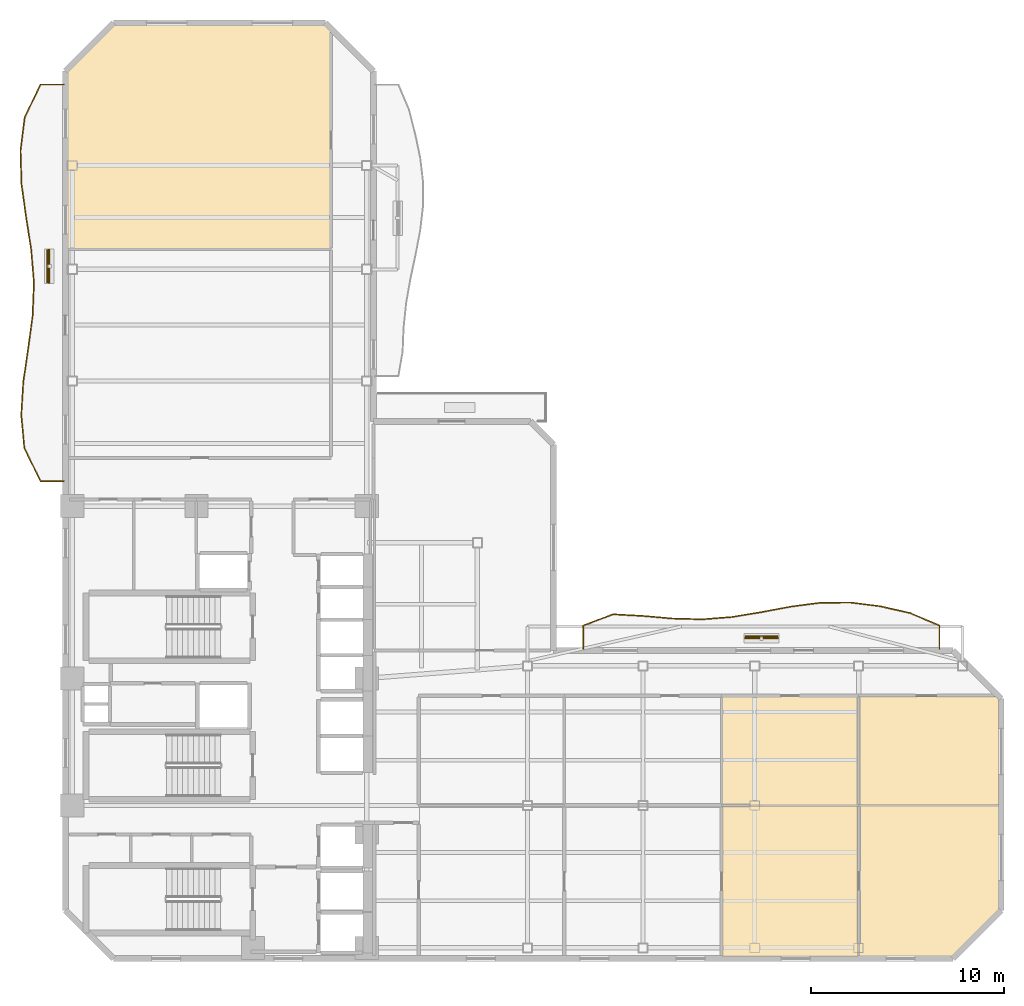
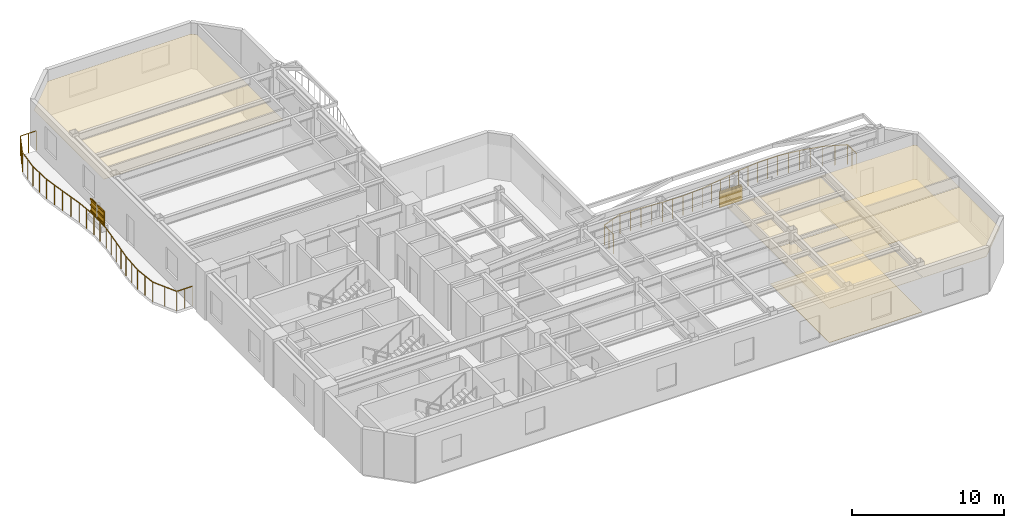
# One storey, part 9 of 10: 8 shading devices, 7 coverings, 2 railings.
"""IFC4 building model written with IfcOpenShell, lengths in metres."""

from ifc_helpers import new_model, si_unit, direction, frame, origin, origin_2d, place, context, subcontext, project, spatial, polyline, rectangle, outline, extrude, material, layer, layer_set, material_profile, profile_set, type_object, element, save


model = new_model("IFC4")

# Units and contexts
model_context = context("Model", 3, precision=1e-05, world=origin(), true_north=direction((0.0, 1.0)))
body_context = subcontext(model_context, "Body", "Model", "MODEL_VIEW")
ifc_project = project(units=[si_unit("LENGTHUNIT", "METRE"), si_unit("AREAUNIT", "SQUARE_METRE"), si_unit("VOLUMEUNIT", "CUBIC_METRE"), si_unit("PLANEANGLEUNIT", "RADIAN"), si_unit("MASSUNIT", "GRAM", prefix="KILO")], contexts=[model_context])

# Site, building, storey
site_placement = place(None, origin())
site = spatial("IfcSite", under=ifc_project, at=site_placement, CompositionType="ELEMENT")
building_placement = place(site_placement, origin())
building = spatial("IfcBuilding", under=site, at=building_placement, Name="Mawjaban Terraces University", CompositionType="ELEMENT")
storey_placement = place(building_placement, frame((0.0, 0.0, 122.89990234375)))
storey = spatial("IfcBuildingStorey", under=building, at=storey_placement, Name="L29", CompositionType="ELEMENT", Elevation=122.89990234375)

# Coverings
ifc_material_1 = material(Name="Acoustic mineral fibre ceiling tile", Category="masonry")
ifc_layer_1 = layer(ifc_material_1, 0.02001953125)
ifc_layer_set_1 = layer_set([ifc_layer_1], Name="Acoustic mineral fibre ceiling tile")
covering_type_1 = type_object("IfcCoveringType", Name="AcousticMineralCeiling_20", PredefinedType="CEILING", material=ifc_layer_set_1)
covering_1_placement = place(storey_placement, frame((0.0, 0.0, 2.75)))
element("IfcCovering", 1, at=covering_1_placement, inside=storey, type_object=covering_type_1, Name="L29 Reading Salon 6 Acoustic Ceiling", PredefinedType="CEILING", context=body_context, shape_type="SweptSolid", body=[
    extrude(outline(polyline([(56.110107421875, 0.114990234375), (63.169921875, 0.114990234375), (63.169921875, 7.919921875), (56.110107421875, 7.919921875), (56.110107421875, 0.114990234375)])), origin(), (0.0, 0.0, 1.0), 0.02001953125),
])
covering_2_placement = place(storey_placement, frame((0.0, 0.0, 2.75)))
element("IfcCovering", 2, at=covering_2_placement, inside=storey, type_object=covering_type_1, Name="L29 Academic Counseling Room 7 Acoustic Ceiling", PredefinedType="CEILING", context=body_context, shape_type="SweptSolid", body=[
    extrude(outline(polyline([(63.169921875, 7.97998046875), (63.169921875, 13.6201171875), (56.110107421875, 13.6201171875), (56.110107421875, 7.97998046875), (63.169921875, 7.97998046875)])), origin(), (0.0, 0.0, 1.0), 0.02001953125),
])
covering_3_placement = place(storey_placement, frame((0.0, 0.0, 2.75)))
element("IfcCovering", 3, at=covering_3_placement, inside=storey, type_object=covering_type_1, Name="L29 Academic Counseling Room 8 Acoustic Ceiling", PredefinedType="CEILING", context=body_context, shape_type="SweptSolid", body=[
    extrude(outline(polyline([(63.22998046875, 0.114990234375), (68.052978515625, 0.114990234375), (70.485107421875, 2.547119140625), (70.485107421875, 7.919921875), (63.22998046875, 7.919921875), (63.22998046875, 0.114990234375)])), origin(), (0.0, 0.0, 1.0), 0.02001953125),
])
covering_4_placement = place(storey_placement, frame((0.0, 0.0, 2.75)))
element("IfcCovering", 4, at=covering_4_placement, inside=storey, type_object=covering_type_1, Name="L29 Classroom 9 Acoustic Ceiling", PredefinedType="CEILING", context=body_context, shape_type="SweptSolid", body=[
    extrude(outline(polyline([(70.485107421875, 7.97998046875), (70.485107421875, 13.452880859375), (70.318115234375, 13.6201171875), (63.22998046875, 13.6201171875), (63.22998046875, 7.97998046875), (70.485107421875, 7.97998046875)])), origin(), (0.0, 0.0, 1.0), 0.02001953125),
])
covering_5_placement = place(storey_placement, frame((0.0, 0.0, 2.75)))
element("IfcCovering", 5, at=covering_5_placement, inside=storey, type_object=covering_type_1, Name="L29 Faculty Office 11 Acoustic Ceiling", PredefinedType="CEILING", context=body_context, shape_type="SweptSolid", body=[
    extrude(outline(polyline([(35.77001953125, 48.16796875), (35.452880859375, 48.485107421875), (24.547119140625, 48.485107421875), (22.114990234375, 46.052978515625), (22.114990234375, 36.8779296875), (35.77001953125, 36.8779296875), (35.77001953125, 48.16796875)])), origin(), (0.0, 0.0, 1.0), 0.02001953125),
])

# Railings
ifc_material_2 = material(Name="Galvanised powder-coated steel S355", Category="steel")
railing_type = type_object("IfcRailingType", Name="BalconyBalustrade_1600", PredefinedType="BALUSTRADE", material=ifc_material_2)
railing_1_placement = place(storey_placement, frame((21.919921875, 24.800048828125, 0.0)))
element("IfcRailing", 6, at=railing_1_placement, inside=storey, type_object=railing_type, Name="L29 Balcony Guardrail west", PredefinedType="BALUSTRADE", context=body_context, shape_type="SweptSolid", body=[
    extrude(rectangle(XDim=0.048095703125, YDim=0.048095703125, at=origin_2d()), frame((0.0, 0.0, 1.576171875), z_axis=(-1.0, 0.0, 0.0), x_axis=(0.0, -1.0, 0.0)), (0.0, 0.0, 1.0), 1.219970703125),
    extrude(rectangle(XDim=0.048095703125, YDim=0.048095703125, at=origin_2d()), frame((-1.219970703125, 0.0, 1.576171875), z_axis=(-0.438967233207, 0.898503070763, 0.0), x_axis=(-0.898503070763, -0.438967233207, 0.0)), (0.0, 0.0, 1.0), 1.910888671875),
    extrude(rectangle(XDim=0.048095703125, YDim=0.048095703125, at=origin_2d()), frame((-2.058837890625, 1.717041015625, 1.576171875), z_axis=(-0.092375103875, 0.995724279198, 0.0), x_axis=(-0.995724279198, -0.092375103875, 0.0)), (0.0, 0.0, 1.0), 1.72314453125),
    extrude(rectangle(XDim=0.048095703125, YDim=0.048095703125, at=origin_2d()), frame((-2.218017578125, 3.432861328125, 1.576171875), z_axis=(0.060460779806, 0.998170573652, 0.0), x_axis=(-0.998170573652, 0.060460779806, 0.0)), (0.0, 0.0, 1.0), 1.72021484375),
    extrude(rectangle(XDim=0.048095703125, YDim=0.048095703125, at=origin_2d()), frame((-2.114013671875, 5.14990234375, 1.576171875), z_axis=(0.145319838809, 0.989384730248, 0.0), x_axis=(-0.989384730248, 0.145319838809, 0.0)), (0.0, 0.0, 1.0), 1.7353515625),
    extrude(rectangle(XDim=0.048095703125, YDim=0.048095703125, at=origin_2d()), frame((-1.86181640625, 6.866943359375, 1.576171875), z_axis=(0.13449037063, 0.990914900588, 0.0), x_axis=(-0.990914900588, 0.13449037063, 0.0)), (0.0, 0.0, 1.0), 1.731689453125),
    extrude(rectangle(XDim=0.048095703125, YDim=0.048095703125, at=origin_2d()), frame((-1.62890625, 8.5830078125, 1.576171875), z_axis=(0.03949709548, 0.999219685279, 0.0), x_axis=(-0.999219685279, 0.03949709548, 0.0)), (0.0, 0.0, 1.0), 1.71826171875),
    extrude(rectangle(XDim=0.048095703125, YDim=0.048095703125, at=origin_2d()), frame((-1.56103515625, 10.300048828125, 1.576171875), z_axis=(-0.081778633237, 0.996650518058, 0.0), x_axis=(-0.996650518058, -0.081778633237, 0.0)), (0.0, 0.0, 1.0), 1.72265625),
    extrude(rectangle(XDim=0.048095703125, YDim=0.048095703125, at=origin_2d()), frame((-1.701904296875, 12.016845703125, 1.576171875), z_axis=(-0.155435721356, 0.987846008509, 0.0), x_axis=(-0.987846008509, -0.155435721356, 0.0)), (0.0, 0.0, 1.0), 1.737060546875),
    extrude(rectangle(XDim=0.048095703125, YDim=0.048095703125, at=origin_2d()), frame((-1.971923828125, 13.73291015625, 1.576171875), z_axis=(-0.136766084598, 0.990603370731, 0.0), x_axis=(-0.990603370731, -0.136766084598, 0.0)), (0.0, 0.0, 1.0), 1.7333984375),
    extrude(rectangle(XDim=0.048095703125, YDim=0.048095703125, at=origin_2d()), frame((-2.208984375, 15.449951171875, 1.576171875), z_axis=(-0.02842587525, 0.999595903161, 0.0), x_axis=(-0.999595903161, -0.02842587525, 0.0)), (0.0, 0.0, 1.0), 1.7177734375),
    extrude(rectangle(XDim=0.048095703125, YDim=0.048095703125, at=origin_2d()), frame((-2.2578125, 17.1669921875, 1.576171875), z_axis=(0.124781739438, 0.992184215508, 0.0), x_axis=(-0.992184215508, 0.124781739438, 0.0)), (0.0, 0.0, 1.0), 1.7294921875),
    extrude(rectangle(XDim=0.048095703125, YDim=0.048095703125, at=origin_2d()), frame((-2.0419921875, 18.883056640625, 1.576171875), z_axis=(0.431859381841, 0.901940948353, 0.0), x_axis=(-0.901940948353, 0.431859381841, 0.0)), (0.0, 0.0, 1.0), 1.903564453125),
    extrude(rectangle(XDim=0.048095703125, YDim=0.048095703125, at=origin_2d()), frame((-1.219970703125, 20.599853515625, 1.576171875), z_axis=(1.0, 0.0, 0.0), x_axis=(0.0, 1.0, 0.0)), (0.0, 0.0, 1.0), 1.219970703125),
    extrude(rectangle(XDim=0.0419921875, YDim=0.0419921875, at=origin_2d()), origin(), (0.0, 0.0, 1.0), 1.552001953125),
    extrude(rectangle(XDim=0.0419921875, YDim=0.0419921875, at=origin_2d()), frame((-0.60986328125, 0.0, 0.0)), (0.0, 0.0, 1.0), 1.552001953125),
    extrude(rectangle(XDim=0.0419921875, YDim=0.0419921875, at=origin_2d()), frame((-1.219970703125, 0.0, 0.0)), (0.0, 0.0, 1.0), 1.552001953125),
    extrude(rectangle(XDim=0.0419921875, YDim=0.0419921875, at=origin_2d()), frame((-1.639404296875, 0.8583984375, 0.0)), (0.0, 0.0, 1.0), 1.552001953125),
    extrude(rectangle(XDim=0.0419921875, YDim=0.0419921875, at=origin_2d()), frame((-2.058837890625, 1.717041015625, 0.0)), (0.0, 0.0, 1.0), 1.552001953125),
    extrude(rectangle(XDim=0.0419921875, YDim=0.0419921875, at=origin_2d()), frame((-2.138427734375, 2.574951171875, 0.0)), (0.0, 0.0, 1.0), 1.552001953125),
    extrude(rectangle(XDim=0.0419921875, YDim=0.0419921875, at=origin_2d()), frame((-2.218017578125, 3.432861328125, 0.0)), (0.0, 0.0, 1.0), 1.552001953125),
    extrude(rectangle(XDim=0.0419921875, YDim=0.0419921875, at=origin_2d()), frame((-2.166015625, 4.29150390625, 0.0)), (0.0, 0.0, 1.0), 1.552001953125),
    extrude(rectangle(XDim=0.0419921875, YDim=0.0419921875, at=origin_2d()), frame((-2.114013671875, 5.14990234375, 0.0)), (0.0, 0.0, 1.0), 1.552001953125),
    extrude(rectangle(XDim=0.0419921875, YDim=0.0419921875, at=origin_2d()), frame((-1.98779296875, 6.00830078125, 0.0)), (0.0, 0.0, 1.0), 1.552001953125),
    extrude(rectangle(XDim=0.0419921875, YDim=0.0419921875, at=origin_2d()), frame((-1.86181640625, 6.866943359375, 0.0)), (0.0, 0.0, 1.0), 1.552001953125),
    extrude(rectangle(XDim=0.0419921875, YDim=0.0419921875, at=origin_2d()), frame((-1.745361328125, 7.72509765625, 0.0)), (0.0, 0.0, 1.0), 1.552001953125),
    extrude(rectangle(XDim=0.0419921875, YDim=0.0419921875, at=origin_2d()), frame((-1.62890625, 8.5830078125, 0.0)), (0.0, 0.0, 1.0), 1.552001953125),
    extrude(rectangle(XDim=0.0419921875, YDim=0.0419921875, at=origin_2d()), frame((-1.594970703125, 9.44140625, 0.0)), (0.0, 0.0, 1.0), 1.552001953125),
    extrude(rectangle(XDim=0.0419921875, YDim=0.0419921875, at=origin_2d()), frame((-1.56103515625, 10.300048828125, 0.0)), (0.0, 0.0, 1.0), 1.552001953125),
    extrude(rectangle(XDim=0.0419921875, YDim=0.0419921875, at=origin_2d()), frame((-1.63134765625, 11.158447265625, 0.0)), (0.0, 0.0, 1.0), 1.552001953125),
    extrude(rectangle(XDim=0.0419921875, YDim=0.0419921875, at=origin_2d()), frame((-1.701904296875, 12.016845703125, 0.0)), (0.0, 0.0, 1.0), 1.552001953125),
    extrude(rectangle(XDim=0.0419921875, YDim=0.0419921875, at=origin_2d()), frame((-1.8369140625, 12.875, 0.0)), (0.0, 0.0, 1.0), 1.552001953125),
    extrude(rectangle(XDim=0.0419921875, YDim=0.0419921875, at=origin_2d()), frame((-1.971923828125, 13.73291015625, 0.0)), (0.0, 0.0, 1.0), 1.552001953125),
    extrude(rectangle(XDim=0.0419921875, YDim=0.0419921875, at=origin_2d()), frame((-2.09033203125, 14.59130859375, 0.0)), (0.0, 0.0, 1.0), 1.552001953125),
    extrude(rectangle(XDim=0.0419921875, YDim=0.0419921875, at=origin_2d()), frame((-2.208984375, 15.449951171875, 0.0)), (0.0, 0.0, 1.0), 1.552001953125),
    extrude(rectangle(XDim=0.0419921875, YDim=0.0419921875, at=origin_2d()), frame((-2.2333984375, 16.30859375, 0.0)), (0.0, 0.0, 1.0), 1.552001953125),
    extrude(rectangle(XDim=0.0419921875, YDim=0.0419921875, at=origin_2d()), frame((-2.2578125, 17.1669921875, 0.0)), (0.0, 0.0, 1.0), 1.552001953125),
    extrude(rectangle(XDim=0.0419921875, YDim=0.0419921875, at=origin_2d()), frame((-2.14990234375, 18.02490234375, 0.0)), (0.0, 0.0, 1.0), 1.552001953125),
    extrude(rectangle(XDim=0.0419921875, YDim=0.0419921875, at=origin_2d()), frame((-2.0419921875, 18.883056640625, 0.0)), (0.0, 0.0, 1.0), 1.552001953125),
    extrude(rectangle(XDim=0.0419921875, YDim=0.0419921875, at=origin_2d()), frame((-1.630859375, 19.741455078125, 0.0)), (0.0, 0.0, 1.0), 1.552001953125),
    extrude(rectangle(XDim=0.0419921875, YDim=0.0419921875, at=origin_2d()), frame((-1.219970703125, 20.599853515625, 0.0)), (0.0, 0.0, 1.0), 1.552001953125),
    extrude(rectangle(XDim=0.0419921875, YDim=0.0419921875, at=origin_2d()), frame((-0.60986328125, 20.599853515625, 0.0)), (0.0, 0.0, 1.0), 1.552001953125),
    extrude(rectangle(XDim=0.0419921875, YDim=0.0419921875, at=origin_2d()), frame((0.0, 20.599853515625, 0.0)), (0.0, 0.0, 1.0), 1.552001953125),
])
railing_2_placement = place(storey_placement, frame((48.904052734375, 16.080078125, 0.0)))
element("IfcRailing", 7, at=railing_2_placement, inside=storey, type_object=railing_type, Name="L29 Balcony Guardrail inner_north", PredefinedType="BALUSTRADE", context=body_context, shape_type="SweptSolid", body=[
    extrude(rectangle(XDim=0.048095703125, YDim=0.048095703125, at=origin_2d()), frame((0.0, 0.0, 1.576171875), z_axis=(0.0, 1.0, 0.0), x_axis=(-1.0, 0.0, 0.0)), (0.0, 0.0, 1.0), 1.219970703125),
    extrude(rectangle(XDim=0.048095703125, YDim=0.048095703125, at=origin_2d()), frame((0.0, 1.219970703125, 1.576171875), z_axis=(0.935498223118, 0.35333139479, 0.0), x_axis=(-0.35333139479, 0.935498223118, 0.0)), (0.0, 0.0, 1.0), 1.647216796875),
    extrude(rectangle(XDim=0.048095703125, YDim=0.048095703125, at=origin_2d()), frame((1.541015625, 1.802001953125, 1.576171875), z_axis=(0.998520081725, -0.054384247643, 0.0), x_axis=(0.054384247643, 0.998520081725, 0.0)), (0.0, 0.0, 1.0), 1.544189453125),
    extrude(rectangle(XDim=0.048095703125, YDim=0.048095703125, at=origin_2d()), frame((3.0830078125, 1.718017578125, 1.576171875), z_axis=(0.996184118201, -0.087276587035, 0.0), x_axis=(0.087276587035, 0.996184118201, 0.0)), (0.0, 0.0, 1.0), 1.546875),
    extrude(rectangle(XDim=0.048095703125, YDim=0.048095703125, at=origin_2d()), frame((4.6240234375, 1.5830078125, 1.576171875), z_axis=(0.999645983162, -0.02660654708, 0.0), x_axis=(0.02660654708, 0.999645983162, 0.0)), (0.0, 0.0, 1.0), 1.54150390625),
    extrude(rectangle(XDim=0.048095703125, YDim=0.048095703125, at=origin_2d()), frame((6.1650390625, 1.5419921875, 1.576171875), z_axis=(0.996991945312, 0.077505231974, 0.0), x_axis=(-0.077505231974, 0.996991945312, 0.0)), (0.0, 0.0, 1.0), 1.546630859375),
    extrude(rectangle(XDim=0.048095703125, YDim=0.048095703125, at=origin_2d()), frame((7.70703125, 1.661865234375, 1.576171875), z_axis=(0.986671340331, 0.162725739113, 0.0), x_axis=(-0.162725739113, 0.986671340331, 0.0)), (0.0, 0.0, 1.0), 1.561767578125),
    extrude(rectangle(XDim=0.048095703125, YDim=0.048095703125, at=origin_2d()), frame((9.248046875, 1.916015625, 1.576171875), z_axis=(0.982773338534, 0.184814948169, 0.0), x_axis=(-0.184814948169, 0.982773338534, 0.0)), (0.0, 0.0, 1.0), 1.568115234375),
    extrude(rectangle(XDim=0.048095703125, YDim=0.048095703125, at=origin_2d()), frame((10.7890625, 2.205810546875, 1.576171875), z_axis=(0.991856759214, 0.127358428075, 0.0), x_axis=(-0.127358428075, 0.991856759214, 0.0)), (0.0, 0.0, 1.0), 1.5546875),
    extrude(rectangle(XDim=0.048095703125, YDim=0.048095703125, at=origin_2d()), frame((12.3310546875, 2.40380859375, 1.576171875), z_axis=(0.999973437313, 0.007288667108, 0.0), x_axis=(-0.007288667108, 0.999973437313, 0.0)), (0.0, 0.0, 1.0), 1.540771484375),
    extrude(rectangle(XDim=0.048095703125, YDim=0.048095703125, at=origin_2d()), frame((13.871826171875, 2.4150390625, 1.576171875), z_axis=(0.992083224816, -0.125582144586, 0.0), x_axis=(0.125582144586, 0.992083224816, 0.0)), (0.0, 0.0, 1.0), 1.55322265625),
    extrude(rectangle(XDim=0.048095703125, YDim=0.048095703125, at=origin_2d()), frame((15.412841796875, 2.219970703125, 1.576171875), z_axis=(0.975447423939, -0.220232429787, 0.0), x_axis=(0.220232429787, 0.975447423939, 0.0)), (0.0, 0.0, 1.0), 1.580810546875),
    extrude(rectangle(XDim=0.048095703125, YDim=0.048095703125, at=origin_2d()), frame((16.954833984375, 1.871826171875, 1.576171875), z_axis=(0.920991415266, -0.389582870526, 0.0), x_axis=(0.389582870526, 0.920991415266, 0.0)), (0.0, 0.0, 1.0), 1.673095703125),
    extrude(rectangle(XDim=0.048095703125, YDim=0.048095703125, at=origin_2d()), frame((18.495849609375, 1.219970703125, 1.576171875), z_axis=(0.0, -1.0, 0.0), x_axis=(1.0, 0.0, 0.0)), (0.0, 0.0, 1.0), 1.219970703125),
    extrude(rectangle(XDim=0.0419921875, YDim=0.0419921875, at=origin_2d()), origin(), (0.0, 0.0, 1.0), 1.552001953125),
    extrude(rectangle(XDim=0.0419921875, YDim=0.0419921875, at=origin_2d()), frame((0.0, 0.60986328125, 0.0)), (0.0, 0.0, 1.0), 1.552001953125),
    extrude(rectangle(XDim=0.0419921875, YDim=0.0419921875, at=origin_2d()), frame((0.0, 1.219970703125, 0.0)), (0.0, 0.0, 1.0), 1.552001953125),
    extrude(rectangle(XDim=0.0419921875, YDim=0.0419921875, at=origin_2d()), frame((0.7705078125, 1.510986328125, 0.0)), (0.0, 0.0, 1.0), 1.552001953125),
    extrude(rectangle(XDim=0.0419921875, YDim=0.0419921875, at=origin_2d()), frame((1.541015625, 1.802001953125, 0.0)), (0.0, 0.0, 1.0), 1.552001953125),
    extrude(rectangle(XDim=0.0419921875, YDim=0.0419921875, at=origin_2d()), frame((2.31201171875, 1.760009765625, 0.0)), (0.0, 0.0, 1.0), 1.552001953125),
    extrude(rectangle(XDim=0.0419921875, YDim=0.0419921875, at=origin_2d()), frame((3.0830078125, 1.718017578125, 0.0)), (0.0, 0.0, 1.0), 1.552001953125),
    extrude(rectangle(XDim=0.0419921875, YDim=0.0419921875, at=origin_2d()), frame((3.853515625, 1.650390625, 0.0)), (0.0, 0.0, 1.0), 1.552001953125),
    extrude(rectangle(XDim=0.0419921875, YDim=0.0419921875, at=origin_2d()), frame((4.6240234375, 1.5830078125, 0.0)), (0.0, 0.0, 1.0), 1.552001953125),
    extrude(rectangle(XDim=0.0419921875, YDim=0.0419921875, at=origin_2d()), frame((5.39453125, 1.5625, 0.0)), (0.0, 0.0, 1.0), 1.552001953125),
    extrude(rectangle(XDim=0.0419921875, YDim=0.0419921875, at=origin_2d()), frame((6.1650390625, 1.5419921875, 0.0)), (0.0, 0.0, 1.0), 1.552001953125),
    extrude(rectangle(XDim=0.0419921875, YDim=0.0419921875, at=origin_2d()), frame((6.93603515625, 1.60205078125, 0.0)), (0.0, 0.0, 1.0), 1.552001953125),
    extrude(rectangle(XDim=0.0419921875, YDim=0.0419921875, at=origin_2d()), frame((7.70703125, 1.661865234375, 0.0)), (0.0, 0.0, 1.0), 1.552001953125),
    extrude(rectangle(XDim=0.0419921875, YDim=0.0419921875, at=origin_2d()), frame((8.4775390625, 1.7890625, 0.0)), (0.0, 0.0, 1.0), 1.552001953125),
    extrude(rectangle(XDim=0.0419921875, YDim=0.0419921875, at=origin_2d()), frame((9.248046875, 1.916015625, 0.0)), (0.0, 0.0, 1.0), 1.552001953125),
    extrude(rectangle(XDim=0.0419921875, YDim=0.0419921875, at=origin_2d()), frame((10.0185546875, 2.06103515625, 0.0)), (0.0, 0.0, 1.0), 1.552001953125),
    extrude(rectangle(XDim=0.0419921875, YDim=0.0419921875, at=origin_2d()), frame((10.7890625, 2.205810546875, 0.0)), (0.0, 0.0, 1.0), 1.552001953125),
    extrude(rectangle(XDim=0.0419921875, YDim=0.0419921875, at=origin_2d()), frame((11.56005859375, 2.3046875, 0.0)), (0.0, 0.0, 1.0), 1.552001953125),
    extrude(rectangle(XDim=0.0419921875, YDim=0.0419921875, at=origin_2d()), frame((12.3310546875, 2.40380859375, 0.0)), (0.0, 0.0, 1.0), 1.552001953125),
    extrude(rectangle(XDim=0.0419921875, YDim=0.0419921875, at=origin_2d()), frame((13.1015625, 2.409423828125, 0.0)), (0.0, 0.0, 1.0), 1.552001953125),
    extrude(rectangle(XDim=0.0419921875, YDim=0.0419921875, at=origin_2d()), frame((13.871826171875, 2.4150390625, 0.0)), (0.0, 0.0, 1.0), 1.552001953125),
    extrude(rectangle(XDim=0.0419921875, YDim=0.0419921875, at=origin_2d()), frame((14.642333984375, 2.3173828125, 0.0)), (0.0, 0.0, 1.0), 1.552001953125),
    extrude(rectangle(XDim=0.0419921875, YDim=0.0419921875, at=origin_2d()), frame((15.412841796875, 2.219970703125, 0.0)), (0.0, 0.0, 1.0), 1.552001953125),
    extrude(rectangle(XDim=0.0419921875, YDim=0.0419921875, at=origin_2d()), frame((16.183837890625, 2.0458984375, 0.0)), (0.0, 0.0, 1.0), 1.552001953125),
    extrude(rectangle(XDim=0.0419921875, YDim=0.0419921875, at=origin_2d()), frame((16.954833984375, 1.871826171875, 0.0)), (0.0, 0.0, 1.0), 1.552001953125),
    extrude(rectangle(XDim=0.0419921875, YDim=0.0419921875, at=origin_2d()), frame((17.725341796875, 1.5458984375, 0.0)), (0.0, 0.0, 1.0), 1.552001953125),
    extrude(rectangle(XDim=0.0419921875, YDim=0.0419921875, at=origin_2d()), frame((18.495849609375, 1.219970703125, 0.0)), (0.0, 0.0, 1.0), 1.552001953125),
    extrude(rectangle(XDim=0.0419921875, YDim=0.0419921875, at=origin_2d()), frame((18.495849609375, 0.60986328125, 0.0)), (0.0, 0.0, 1.0), 1.552001953125),
    extrude(rectangle(XDim=0.0419921875, YDim=0.0419921875, at=origin_2d()), frame((18.495849609375, 0.0, 0.0)), (0.0, 0.0, 1.0), 1.552001953125),
])

# Shading devices
ifc_material_3 = material(Name="Glazed architectural terracotta ceramic", Category="masonry")
ifc_material_profile = material_profile(ifc_material_3, rectangle(XDim=0.06494140625, YDim=0.110107421875, at=origin_2d()), Name="TBAG110X65")
ifc_profile_set = profile_set([ifc_material_profile], Name="Glazed architectural terracotta ceramic")
shading_device_type_1 = type_object("IfcShadingDeviceType", Name="TerracottaBaguette_110x65", PredefinedType="USERDEFINED", material=ifc_profile_set)
for number, where, z_axis, x_axis, name in (
    (8, (21.06396484375, 35.10888671875, 0.68017578125), (0.0, 1.0, 0.0), (-1.0, 0.0, 0.0), "L29 Horizontal Terracotta Baguette west.1"),
    (9, (21.06396484375, 35.10888671875, 1.150146484375), (0.0, 1.0, 0.0), (-1.0, 0.0, 0.0), "L29 Horizontal Terracotta Baguette west.2"),
    (10, (21.06396484375, 35.10888671875, 1.6201171875), (0.0, 1.0, 0.0), (-1.0, 0.0, 0.0), "L29 Horizontal Terracotta Baguette west.3"),
):
    element("IfcShadingDevice", number, at=place(storey_placement, frame(where, z_axis=z_axis, x_axis=x_axis)), inside=storey, type_object=shading_device_type_1, Name=name, ObjectType="BAGUETTE", PredefinedType="USERDEFINED", context=body_context, shape_type="SweptSolid", body=[
        extrude(rectangle(XDim=0.06494140625, YDim=0.110107421875, at=origin_2d()), origin(), (0.0, 0.0, 1.0), 1.7001953125),
    ])
for number, where, z_axis, x_axis, name in (
    (11, (57.302001953125, 16.72998046875, 0.68017578125), (1.0, 0.0, 0.0), (0.0, 1.0, 0.0), "L29 Horizontal Terracotta Baguette inner_north.1"),
    (12, (57.302001953125, 16.72998046875, 1.150146484375), (1.0, 0.0, 0.0), (0.0, 1.0, 0.0), "L29 Horizontal Terracotta Baguette inner_north.2"),
    (13, (57.302001953125, 16.72998046875, 1.6201171875), (1.0, 0.0, 0.0), (0.0, 1.0, 0.0), "L29 Horizontal Terracotta Baguette inner_north.3"),
):
    element("IfcShadingDevice", number, at=place(storey_placement, frame(where, z_axis=z_axis, x_axis=x_axis)), inside=storey, type_object=shading_device_type_1, Name=name, ObjectType="BAGUETTE", PredefinedType="USERDEFINED", context=body_context, shape_type="SweptSolid", body=[
        extrude(rectangle(XDim=0.06494140625, YDim=0.110107421875, at=origin_2d()), origin(), (0.0, 0.0, 1.0), 1.699951171875),
    ])
ifc_layer_2 = layer(ifc_material_3, 0.080078125)
ifc_layer_set_2 = layer_set([ifc_layer_2], Name="Glazed architectural terracotta ceramic")
shading_device_type_2 = type_object("IfcShadingDeviceType", Name="TerracottaScreen_Perforated", PredefinedType="USERDEFINED", material=ifc_layer_set_2)
for number, where, z_axis, x_axis, name in (
    (14, (21.14892578125, 35.958984375, 0.440185546875), (0.0, 0.0, 1.0), (0.0, 1.0, 0.0), "L29 Balcony Perforated Terracotta Screen west"),
    (15, (58.152099609375, 16.64501953125, 0.440185546875), (0.0, 0.0, 1.0), (1.0, 0.0, 0.0), "L29 Balcony Perforated Terracotta Screen inner_north"),
):
    element("IfcShadingDevice", number, at=place(storey_placement, frame(where, z_axis=z_axis, x_axis=x_axis)), inside=storey, type_object=shading_device_type_2, Name=name, ObjectType="SCREEN", PredefinedType="USERDEFINED", context=body_context, shape_type="SweptSolid", body=[
        extrude(rectangle(XDim=1.75, YDim=0.080078125, at=origin_2d()), origin(), (0.0, 0.0, 1.0), 1.14990234375),
    ])

# Coverings
ifc_material_4 = material(Name="Polished Hijazi granite terrazzo flooring", Category="masonry")
ifc_layer_3 = layer(ifc_material_4, 0.02490234375)
ifc_layer_set_3 = layer_set([ifc_layer_3], Name="Polished Hijazi granite terrazzo flooring")
covering_type_2 = type_object("IfcCoveringType", Name="TerrazzoConcourseFlooring_25", PredefinedType="FLOORING", material=ifc_layer_set_3)
covering_6_placement = place(storey_placement, origin())
element("IfcCovering", 16, at=covering_6_placement, inside=storey, type_object=covering_type_2, Name="L29 Reading Salon 6 Terrazzo Flooring", PredefinedType="FLOORING", context=body_context, shape_type="SweptSolid", body=[
    extrude(outline(polyline([(56.110107421875, 0.114990234375), (63.169921875, 0.114990234375), (63.169921875, 7.919921875), (56.110107421875, 7.919921875), (56.110107421875, 0.114990234375)])), origin(), (0.0, 0.0, 1.0), 0.025146484375),
])
covering_7_placement = place(storey_placement, origin())
element("IfcCovering", 17, at=covering_7_placement, inside=storey, type_object=covering_type_2, Name="L29 Classroom 9 Terrazzo Flooring", PredefinedType="FLOORING", context=body_context, shape_type="SweptSolid", body=[
    extrude(outline(polyline([(70.485107421875, 7.97998046875), (70.485107421875, 13.452880859375), (70.318115234375, 13.6201171875), (63.22998046875, 13.6201171875), (63.22998046875, 7.97998046875), (70.485107421875, 7.97998046875)])), origin(), (0.0, 0.0, 1.0), 0.025146484375),
])

save(model, "model.ifc")
